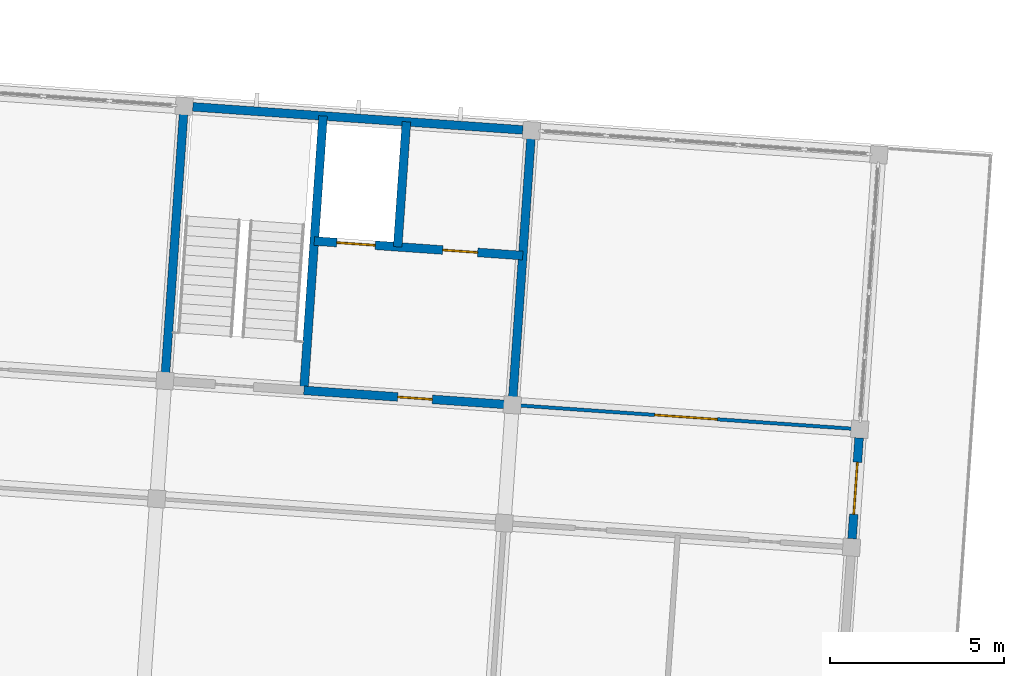
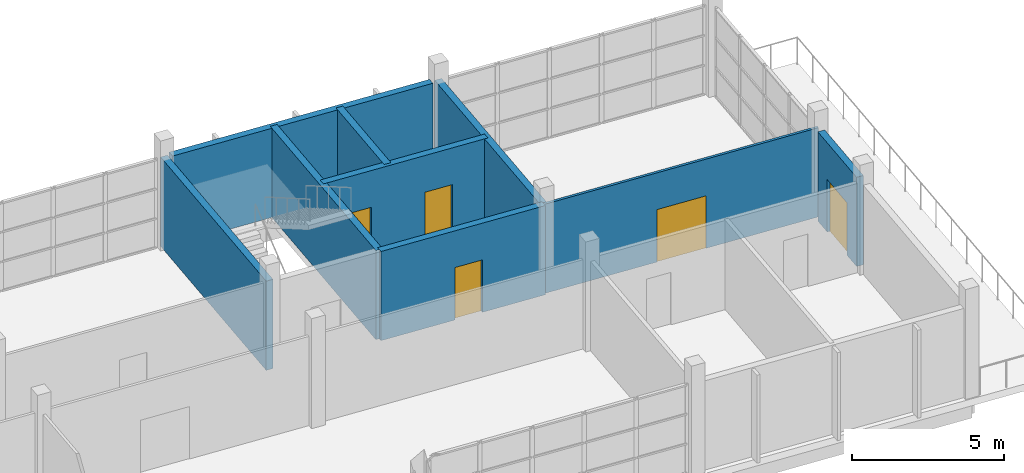
# One storey, part 35 of 50: 9 walls, 5 doors, 5 openings.
"""IFC4 building model written with IfcOpenShell, lengths in metres."""

from ifc_helpers import new_model, si_unit, direction, frame, frame_2d, origin, place, context, subcontext, project, spatial, rectangle, extrude, material, layer, layer_set, type_object, element, fill, save


model = new_model("IFC4")

# Units and contexts
model_context = context("Model", 3, precision=1e-05, world=origin(), true_north=direction((0.0, 1.0)))
body_context = subcontext(model_context, "Body", "Model", "MODEL_VIEW")
ifc_project = project(units=[si_unit("LENGTHUNIT", "METRE"), si_unit("AREAUNIT", "SQUARE_METRE"), si_unit("VOLUMEUNIT", "CUBIC_METRE"), si_unit("PLANEANGLEUNIT", "RADIAN"), si_unit("MASSUNIT", "GRAM", prefix="KILO")], contexts=[model_context])

# Site, building, storey
site_placement = place(None, origin())
site = spatial("IfcSite", under=ifc_project, at=site_placement, CompositionType="ELEMENT")
building_placement = place(site_placement, origin())
building = spatial("IfcBuilding", under=site, at=building_placement, Name="Windward Yard Aquatics Centre", CompositionType="ELEMENT")
storey_placement = place(building_placement, frame((0.0, 0.0, 18.199951171875)))
storey = spatial("IfcBuildingStorey", under=building, at=storey_placement, Name="L04", CompositionType="ELEMENT", Elevation=18.199951171875)

# Walls
ifc_material_1 = material(Name="Concrete C40/50", Category="concrete")
ifc_layer_1 = layer(ifc_material_1, 0.25)
ifc_layer_set_1 = layer_set([ifc_layer_1], Name="W RC core wall 250 Concrete C40/50")
wall_type_1 = type_object("IfcWallType", Name="W RC core wall 250 Concrete C40/50", PredefinedType="SOLIDWALL", material=ifc_layer_set_1)
wall_1_placement = place(storey_placement, frame((149.3544921875, 133.210693359375, 0.0), z_axis=(0.0, 0.0, 1.0), x_axis=(0.997562886035, -0.069773120941, 0.0)))
element("IfcWall", 1, at=wall_1_placement, inside=storey, type_object=wall_type_1, Name="W.FW.L04.N.76.8", PredefinedType="SOLIDWALL", context=body_context, shape_type="SweptSolid", body=[
    extrude(rectangle(XDim=9.5, YDim=0.25, at=frame_2d((4.75, 0.0))), origin(), (0.0, 0.0, 1.0), 3.570068359375),
])
for number, where, z_axis, x_axis, name in (
    (2, (148.553955078125, 125.347412109375, 0.0), (0.0, 0.0, 1.0), (0.069751320509, 0.997564410596, 0.0), "W.WL.L04.006"),
    (3, (152.544189453125, 125.068359375, 0.0), (0.0, 0.0, 1.0), (0.069782074492, 0.997562259751, 0.0), "W.WL.L04.007"),
):
    element("IfcWall", number, at=place(storey_placement, frame(where, z_axis=z_axis, x_axis=x_axis)), inside=storey, type_object=wall_type_1, Name=name, PredefinedType="SOLIDWALL", context=body_context, shape_type="SweptSolid", body=[
        extrude(rectangle(XDim=7.89990234375, YDim=0.25, at=frame_2d((3.949951171875, 0.0))), origin(), (0.0, 0.0, 1.0), 3.570068359375),
    ])
wall_2_placement = place(storey_placement, frame((155.23828125, 129.1904296875, 0.0), z_axis=(0.0, 0.0, 1.0), x_axis=(0.06978660948, 0.997561942506, 0.0)))
element("IfcWall", 4, at=wall_2_placement, inside=storey, type_object=wall_type_1, Name="W.WL.L04.008", PredefinedType="SOLIDWALL", context=body_context, shape_type="SweptSolid", body=[
    extrude(rectangle(XDim=3.599853515625, YDim=0.25, at=frame_2d((1.7998046875, 0.0))), origin(), (0.0, 0.0, 1.0), 3.570068359375),
])
wall_3_placement = place(storey_placement, frame((158.52978515625, 124.649658203125, 0.0), z_axis=(0.0, 0.0, 1.0), x_axis=(0.0697491702, 0.997564560947, 0.0)))
element("IfcWall", 5, at=wall_3_placement, inside=storey, type_object=wall_type_1, Name="W.WL.L04.010", PredefinedType="SOLIDWALL", context=body_context, shape_type="SweptSolid", body=[
    extrude(rectangle(XDim=7.900146484375, YDim=0.25, at=frame_2d((3.9501953125, 0.0))), origin(), (0.0, 0.0, 1.0), 3.570068359375),
])

# Wall, opening, door
wall_4_placement = place(storey_placement, frame((152.544189453125, 125.068359375, 0.0), z_axis=(0.0, 0.0, 1.0), x_axis=(0.997562338811, -0.069780944286, 0.0)))
wall_4 = element("IfcWall", 6, at=wall_4_placement, inside=storey, type_object=wall_type_1, Name="W.WL.L04.019", PredefinedType="SOLIDWALL", context=body_context, shape_type="SweptSolid", body=[
    extrude(rectangle(XDim=6.000244140625, YDim=0.25, at=frame_2d((3.0, 0.0))), origin(), (0.0, 0.0, 1.0), 3.570068359375),
])
opening_1_placement = place(wall_4_placement, frame((2.699951171875, 0.0, 0.0)))
opening_1 = element("IfcOpeningElement", 7, at=opening_1_placement, cuts=wall_4, Name="Opening W4014", PredefinedType="OPENING", context=body_context, shape_type="SweptSolid", body=[
    extrude(rectangle(XDim=1.0, YDim=2.10009765625, at=frame_2d((0.5, 1.050048828125))), frame((0.0, 0.135009765625, 0.0), z_axis=(0.0, -1.0, 0.0), x_axis=(1.0, 0.0, 0.0)), (0.0, 0.0, 1.0), 0.27001953125),
])
ifc_material_2 = material(Name="Steel fire door leaf", Category="steel")
door_type_1 = type_object("IfcDoorType", Name="W fire door FD60 1000x2100", OperationType="SINGLE_SWING_LEFT", PredefinedType="DOOR", material=ifc_material_2)
door_1_placement = place(opening_1_placement, origin())
door_1 = element("IfcDoor", 8, at=door_1_placement, inside=storey, type_object=door_type_1, Name="W.DRI.L04.013", OperationType="SINGLE_SWING_LEFT", OverallHeight=2.10009765625, OverallWidth=1.0, PredefinedType="DOOR", context=body_context, shape_type="SweptSolid", body=[
    extrude(rectangle(XDim=1.0, YDim=2.10009765625, at=frame_2d((0.5, 1.050048828125))), frame((0.0, 0.02490234375, 0.0), z_axis=(0.0, -1.0, 0.0), x_axis=(1.0, 0.0, 0.0)), (0.0, 0.0, 1.0), 0.050048828125),
])
fill(opening_1, door_1)

# Wall, openings, doors
wall_5_placement = place(storey_placement, frame((152.84423828125, 129.35791015625, 0.0), z_axis=(0.0, 0.0, 1.0), x_axis=(0.997562140671, -0.069783776768, 0.0)))
wall_5 = element("IfcWall", 9, at=wall_5_placement, inside=storey, type_object=wall_type_1, Name="W.WL.L04.022", PredefinedType="SOLIDWALL", context=body_context, shape_type="SweptSolid", body=[
    extrude(rectangle(XDim=6.0, YDim=0.25, at=frame_2d((3.0, 0.0))), origin(), (0.0, 0.0, 1.0), 3.570068359375),
])
opening_2_placement = place(wall_5_placement, frame((3.699951171875, 0.0, 0.0)))
opening_2 = element("IfcOpeningElement", 10, at=opening_2_placement, cuts=wall_5, Name="Opening W4015", PredefinedType="OPENING", context=body_context, shape_type="SweptSolid", body=[
    extrude(rectangle(XDim=1.0, YDim=2.10009765625, at=frame_2d((0.5, 1.050048828125))), frame((0.0, 0.135009765625, 0.0), z_axis=(0.0, -1.0, 0.0), x_axis=(1.0, 0.0, 0.0)), (0.0, 0.0, 1.0), 0.27001953125),
])
opening_3_placement = place(wall_5_placement, frame((0.64990234375, 0.0, 0.0)))
opening_3 = element("IfcOpeningElement", 11, at=opening_3_placement, cuts=wall_5, Name="Opening W4016", PredefinedType="OPENING", context=body_context, shape_type="SweptSolid", body=[
    extrude(rectangle(XDim=1.10009765625, YDim=2.10009765625, at=frame_2d((0.550048828125, 1.050048828125))), frame((0.0, 0.135009765625, 0.0), z_axis=(0.0, -1.0, 0.0), x_axis=(1.0, 0.0, 0.0)), (0.0, 0.0, 1.0), 0.27001953125),
])
door_2_placement = place(opening_2_placement, origin())
door_2 = element("IfcDoor", 12, at=door_2_placement, inside=storey, type_object=door_type_1, Name="W.DRI.L04.014", OperationType="SINGLE_SWING_RIGHT", OverallHeight=2.10009765625, OverallWidth=1.0, PredefinedType="DOOR", context=body_context, shape_type="SweptSolid", body=[
    extrude(rectangle(XDim=1.0, YDim=2.10009765625, at=frame_2d((0.5, 1.050048828125))), frame((0.0, 0.02490234375, 0.0), z_axis=(0.0, -1.0, 0.0), x_axis=(1.0, 0.0, 0.0)), (0.0, 0.0, 1.0), 0.050048828125),
])
fill(opening_2, door_2)
ifc_material_3 = material(Name="Stainless steel sliding door leaf", Category="steel")
door_type_2 = type_object("IfcDoorType", Name="W lift landing door 1100x2100", OperationType="SLIDING_TO_LEFT", PredefinedType="DOOR", material=ifc_material_3)
door_3_placement = place(opening_3_placement, origin())
door_3 = element("IfcDoor", 13, at=door_3_placement, inside=storey, type_object=door_type_2, Name="Landing door E L04", OperationType="SLIDING_TO_LEFT", OverallHeight=2.10009765625, OverallWidth=1.10009765625, PredefinedType="DOOR", context=body_context, shape_type="SweptSolid", body=[
    extrude(rectangle(XDim=1.10009765625, YDim=2.10009765625, at=frame_2d((0.550048828125, 1.050048828125))), frame((0.0, 0.02490234375, 0.0), z_axis=(0.0, -1.0, 0.0), x_axis=(1.0, 0.0, 0.0)), (0.0, 0.0, 1.0), 0.050048828125),
])
fill(opening_3, door_3)

# Wall, opening, door
ifc_layer_2 = layer(ifc_material_1, 0.25)
ifc_layer_set_2 = layer_set([ifc_layer_2], Name="W facade wall 250 Precast Concrete C40/50")
wall_type_2 = type_object("IfcWallType", Name="W facade wall 250 Precast Concrete C40/50", PredefinedType="SOLIDWALL", material=ifc_layer_set_2)
wall_6_placement = place(storey_placement, frame((168.28564453125, 120.809814453125, 0.0), z_axis=(0.0, 0.0, 1.0), x_axis=(0.069703468474, 0.997567755334, 0.0)))
wall_6 = element("IfcWall", 14, at=wall_6_placement, inside=storey, type_object=wall_type_2, Name="W.FW.L04.E.8.6", PredefinedType="SOLIDWALL", context=body_context, shape_type="SweptSolid", body=[
    extrude(rectangle(XDim=2.900146484375, YDim=0.25, at=frame_2d((1.4501953125, 0.0))), origin(), (0.0, 0.0, 1.0), 3.570068359375),
])
opening_4_placement = place(wall_6_placement, frame((0.699951171875, 0.0, 0.0)))
opening_4 = element("IfcOpeningElement", 15, at=opening_4_placement, cuts=wall_6, Name="Opening W4001", PredefinedType="OPENING", context=body_context, shape_type="SweptSolid", body=[
    extrude(rectangle(XDim=1.5, YDim=2.10009765625, at=frame_2d((0.75, 1.050048828125))), frame((0.0, 0.135009765625, 0.0), z_axis=(0.0, -1.0, 0.0), x_axis=(1.0, 0.0, 0.0)), (0.0, 0.0, 1.0), 0.27001953125),
])
ifc_material_4 = material(Name="Aluminium and glass door", Category="aluminium")
door_type_3 = type_object("IfcDoorType", Name="W terrace door 1500x2100", OperationType="DOUBLE_DOOR_SINGLE_SWING", PredefinedType="DOOR", material=ifc_material_4)
door_4_placement = place(opening_4_placement, origin())
door_4 = element("IfcDoor", 16, at=door_4_placement, inside=storey, type_object=door_type_3, Name="W.DRX.L04.W4001", OperationType="DOUBLE_DOOR_SINGLE_SWING", OverallHeight=2.10009765625, OverallWidth=1.5, PredefinedType="DOOR", context=body_context, shape_type="SweptSolid", body=[
    extrude(rectangle(XDim=1.5, YDim=2.10009765625, at=frame_2d((0.75, 1.050048828125))), frame((0.0, 0.02490234375, 0.0), z_axis=(0.0, -1.0, 0.0), x_axis=(1.0, 0.0, 0.0)), (0.0, 0.0, 1.0), 0.050048828125),
])
fill(opening_4, door_4)

ifc_material_5 = material(Name="Plasterboard on steel stud partition", Category="steel")
ifc_layer_3 = layer(ifc_material_5, 0.10009765625)
ifc_layer_set_3 = layer_set([ifc_layer_3], Name="W partition 100")
wall_type_3 = type_object("IfcWallType", Name="W partition 100", PredefinedType="PARTITIONING", material=ifc_layer_set_3)
wall_7_placement = place(storey_placement, frame((158.52978515625, 124.649658203125, 0.0), z_axis=(0.0, 0.0, 1.0), x_axis=(0.997564406228, -0.069751382981, 0.0)))
wall_7 = element("IfcWall", 17, at=wall_7_placement, inside=storey, type_object=wall_type_3, Name="W.WL.L04.020", PredefinedType="PARTITIONING", context=body_context, shape_type="SweptSolid", body=[
    extrude(rectangle(XDim=10.0, YDim=0.10009765625, at=frame_2d((5.0, 0.0))), origin(), (0.0, 0.0, 1.0), 3.570068359375),
])
opening_5_placement = place(wall_7_placement, frame((4.10009765625, 0.0, 0.0)))
opening_5 = element("IfcOpeningElement", 18, at=opening_5_placement, cuts=wall_7, Name="Opening W4008", PredefinedType="OPENING", context=body_context, shape_type="SweptSolid", body=[
    extrude(rectangle(XDim=1.800048828125, YDim=2.10009765625, at=frame_2d((0.89990234375, 1.050048828125))), frame((0.0, 0.06005859375, 0.0), z_axis=(0.0, -1.0, 0.0), x_axis=(1.0, 0.0, 0.0)), (0.0, 0.0, 1.0), 0.1201171875),
])
ifc_material_6 = material(Name="Timber door leaf", Category="wood")
door_type_4 = type_object("IfcDoorType", Name="W double door 1800x2100", OperationType="DOUBLE_DOOR_SINGLE_SWING", PredefinedType="DOOR", material=ifc_material_6)
door_5_placement = place(opening_5_placement, origin())
door_5 = element("IfcDoor", 19, at=door_5_placement, inside=storey, type_object=door_type_4, Name="W.DRI.L04.007", OperationType="DOUBLE_DOOR_SINGLE_SWING", OverallHeight=2.10009765625, OverallWidth=1.800048828125, PredefinedType="DOOR", context=body_context, shape_type="SweptSolid", body=[
    extrude(rectangle(XDim=1.800048828125, YDim=2.10009765625, at=frame_2d((0.89990234375, 1.050048828125))), frame((0.0, 0.02490234375, 0.0), z_axis=(0.0, -1.0, 0.0), x_axis=(1.0, 0.0, 0.0)), (0.0, 0.0, 1.0), 0.050048828125),
])
fill(opening_5, door_5)

save(model, "model.ifc")
